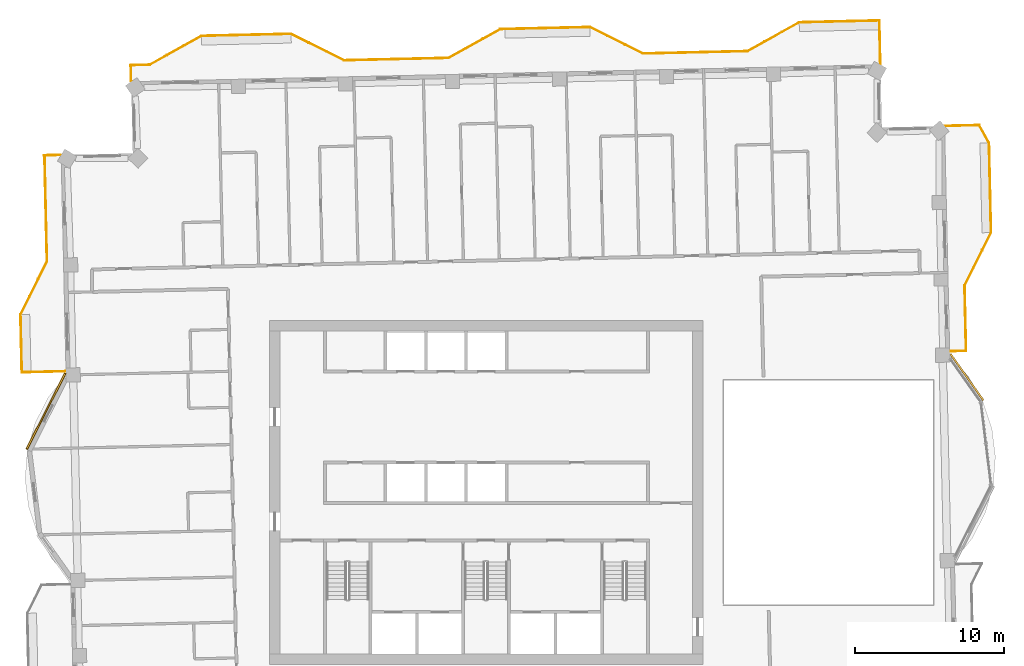
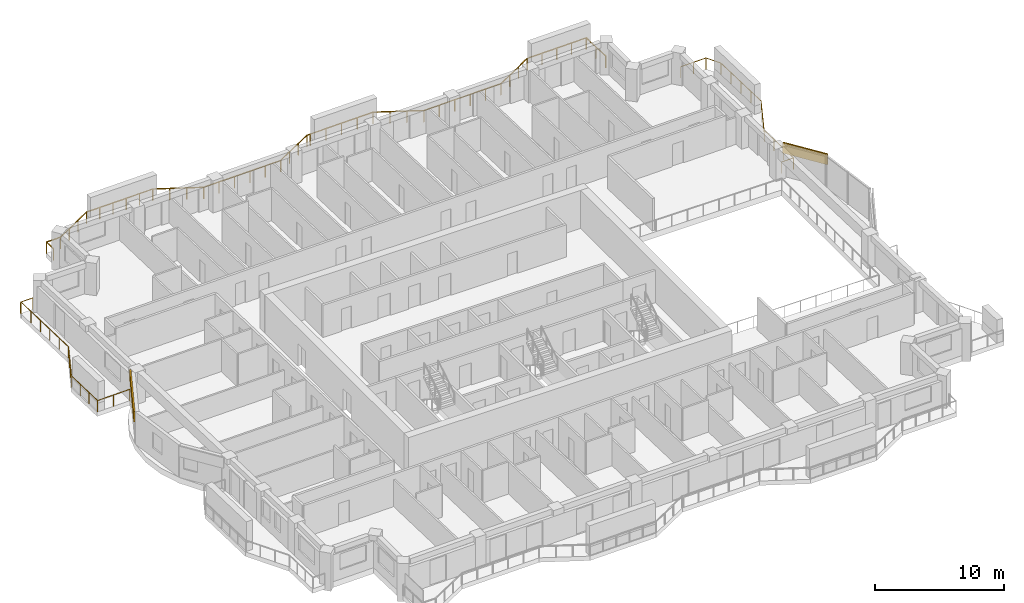
# One storey, part 20 of 20: 3 railings, 2 coverings.
"""IFC4 building model written with IfcOpenShell, lengths in metres."""

from ifc_helpers import new_model, si_unit, direction, frame, frame_2d, origin, origin_2d, place, context, subcontext, project, spatial, rectangle, extrude, material, layer, layer_set, type_object, element, save


model = new_model("IFC4")

# Units and contexts
model_context = context("Model", 3, precision=1e-05, world=origin(), true_north=direction((0.0, 1.0)))
body_context = subcontext(model_context, "Body", "Model", "MODEL_VIEW")
ifc_project = project(units=[si_unit("LENGTHUNIT", "METRE"), si_unit("AREAUNIT", "SQUARE_METRE"), si_unit("VOLUMEUNIT", "CUBIC_METRE"), si_unit("PLANEANGLEUNIT", "RADIAN"), si_unit("MASSUNIT", "GRAM", prefix="KILO")], contexts=[model_context])

# Site, building, storey
site_placement = place(None, origin())
site = spatial("IfcSite", under=ifc_project, at=site_placement, CompositionType="ELEMENT")
building_placement = place(site_placement, origin())
building = spatial("IfcBuilding", under=site, at=building_placement, Name="Mangrove Gate Tower", CompositionType="ELEMENT")
storey_placement = place(building_placement, frame((0.0, 0.0, 279.89990234375)))
storey = spatial("IfcBuildingStorey", under=building, at=storey_placement, Name="L71", CompositionType="ELEMENT", Elevation=279.89990234375)

# Railings
ifc_material_1 = material(Name="Stainless steel grade 316 with laminated glass infill", Category="steel")
railing_type = type_object("IfcRailingType", Name="Balcony guard 1100", PredefinedType="GUARDRAIL", material=ifc_material_1)
railing_1_placement = place(storey_placement, frame((31.0390625, 9.445068359375, 0.0)))
element("IfcRailing", 1, at=railing_1_placement, inside=storey, type_object=railing_type, Name="GUARD L71 E2", PredefinedType="GUARDRAIL", context=body_context, shape_type="SweptSolid", body=[
    extrude(rectangle(XDim=0.048095703125, YDim=0.048095703125, at=origin_2d()), frame((0.0, 0.0, 1.076171875), z_axis=(0.999744802133, 0.022590498181, 0.0), x_axis=(-0.022590498181, 0.999744802133, 0.0)), (0.0, 0.0, 1.0), 1.05908203125),
    extrude(rectangle(XDim=0.048095703125, YDim=0.048095703125, at=origin_2d()), frame((1.058837890625, 0.02392578125, 1.076171875), z_axis=(-0.022599718713, 0.999744593741, 0.0), x_axis=(-0.999744593741, -0.022599718713, 0.0)), (0.0, 0.0, 1.0), 4.375244140625),
    extrude(rectangle(XDim=0.048095703125, YDim=0.048095703125, at=origin_2d()), frame((0.9599609375, 4.39794921875, 1.076171875), z_axis=(0.447114919141, 0.894476522376, 0.0), x_axis=(-0.894476522376, 0.447114919141, 0.0)), (0.0, 0.0, 1.0), 3.958740234375),
    extrude(rectangle(XDim=0.048095703125, YDim=0.048095703125, at=origin_2d()), frame((2.72998046875, 7.93896484375, 1.076171875), z_axis=(-0.022665943652, 0.999743094499, 0.0), x_axis=(-0.999743094499, -0.022665943652, 0.0)), (0.0, 0.0, 1.0), 5.99951171875),
    extrude(rectangle(XDim=0.048095703125, YDim=0.048095703125, at=origin_2d()), frame((2.593994140625, 13.93701171875, 1.076171875), z_axis=(-0.486894237627, 0.873460932936, 0.0), x_axis=(-0.873460932936, -0.486894237627, 0.0)), (0.0, 0.0, 1.0), 1.35791015625),
    extrude(rectangle(XDim=0.048095703125, YDim=0.048095703125, at=origin_2d()), frame((1.932861328125, 15.123046875, 1.076171875), z_axis=(-0.999738835803, -0.022853012666, 0.0), x_axis=(0.022853012666, -0.999738835803, 0.0)), (0.0, 0.0, 1.0), 2.275390625),
    extrude(rectangle(XDim=0.0419921875, YDim=0.0419921875, at=origin_2d()), origin(), (0.0, 0.0, 1.0), 1.052001953125),
    extrude(rectangle(XDim=0.0419921875, YDim=0.0419921875, at=origin_2d()), frame((1.058837890625, 0.02392578125, 0.0)), (0.0, 0.0, 1.0), 1.052001953125),
    extrude(rectangle(XDim=0.0419921875, YDim=0.0419921875, at=origin_2d()), frame((1.02587890625, 1.48193359375, 0.0)), (0.0, 0.0, 1.0), 1.052001953125),
    extrude(rectangle(XDim=0.0419921875, YDim=0.0419921875, at=origin_2d()), frame((0.992919921875, 2.93994140625, 0.0)), (0.0, 0.0, 1.0), 1.052001953125),
    extrude(rectangle(XDim=0.0419921875, YDim=0.0419921875, at=origin_2d()), frame((0.9599609375, 4.39794921875, 0.0)), (0.0, 0.0, 1.0), 1.052001953125),
    extrude(rectangle(XDim=0.0419921875, YDim=0.0419921875, at=origin_2d()), frame((1.550048828125, 5.578369140625, 0.0)), (0.0, 0.0, 1.0), 1.052001953125),
    extrude(rectangle(XDim=0.0419921875, YDim=0.0419921875, at=origin_2d()), frame((2.139892578125, 6.758544921875, 0.0)), (0.0, 0.0, 1.0), 1.052001953125),
    extrude(rectangle(XDim=0.0419921875, YDim=0.0419921875, at=origin_2d()), frame((2.72998046875, 7.93896484375, 0.0)), (0.0, 0.0, 1.0), 1.052001953125),
    extrude(rectangle(XDim=0.0419921875, YDim=0.0419921875, at=origin_2d()), frame((2.696044921875, 9.4384765625, 0.0)), (0.0, 0.0, 1.0), 1.052001953125),
    extrude(rectangle(XDim=0.0419921875, YDim=0.0419921875, at=origin_2d()), frame((2.662109375, 10.93798828125, 0.0)), (0.0, 0.0, 1.0), 1.052001953125),
    extrude(rectangle(XDim=0.0419921875, YDim=0.0419921875, at=origin_2d()), frame((2.6279296875, 12.4375, 0.0)), (0.0, 0.0, 1.0), 1.052001953125),
    extrude(rectangle(XDim=0.0419921875, YDim=0.0419921875, at=origin_2d()), frame((2.593994140625, 13.93701171875, 0.0)), (0.0, 0.0, 1.0), 1.052001953125),
    extrude(rectangle(XDim=0.0419921875, YDim=0.0419921875, at=origin_2d()), frame((1.932861328125, 15.123046875, 0.0)), (0.0, 0.0, 1.0), 1.052001953125),
    extrude(rectangle(XDim=0.0419921875, YDim=0.0419921875, at=origin_2d()), frame((0.79541015625, 15.09716796875, 0.0)), (0.0, 0.0, 1.0), 1.052001953125),
    extrude(rectangle(XDim=0.0419921875, YDim=0.0419921875, at=origin_2d()), frame((-0.342041015625, 15.071044921875, 0.0)), (0.0, 0.0, 1.0), 1.052001953125),
])
railing_2_placement = place(storey_placement, frame((26.362060546875, 28.658935546875, 0.0)))
element("IfcRailing", 2, at=railing_2_placement, inside=storey, type_object=railing_type, Name="GUARD L71 N1", PredefinedType="GUARDRAIL", context=body_context, shape_type="SweptSolid", body=[
    extrude(rectangle(XDim=0.048095703125, YDim=0.048095703125, at=origin_2d()), frame((0.0, 0.0, 1.076171875), z_axis=(-0.022736651854, 0.999741488917, 0.0), x_axis=(-0.999741488917, -0.022736651854, 0.0)), (0.0, 0.0, 1.0), 2.909912109375),
    extrude(rectangle(XDim=0.048095703125, YDim=0.048095703125, at=origin_2d()), frame((-0.066162109375, 2.9091796875, 1.076171875), z_axis=(-0.999741436255, -0.022738967299, 0.0), x_axis=(0.022738967299, -0.999741436255, 0.0)), (0.0, 0.0, 1.0), 5.368408203125),
    extrude(rectangle(XDim=0.048095703125, YDim=0.048095703125, at=origin_2d()), frame((-5.43310546875, 2.787109375, 1.076171875), z_axis=(-0.87325689943, -0.48726008209, 0.0), x_axis=(0.48726008209, -0.87325689943, 0.0)), (0.0, 0.0, 1.0), 3.958740234375),
    extrude(rectangle(XDim=0.048095703125, YDim=0.048095703125, at=origin_2d()), frame((-8.89013671875, 0.858154296875, 1.076171875), z_axis=(-0.999741385179, -0.022741212823, 0.0), x_axis=(0.022741212823, -0.999741385179, 0.0)), (0.0, 0.0, 1.0), 6.99951171875),
    extrude(rectangle(XDim=0.048095703125, YDim=0.048095703125, at=origin_2d()), frame((-15.887939453125, 0.698974609375, 1.076171875), z_axis=(-0.894377854182, 0.447312255532, 0.0), x_axis=(-0.447312255532, -0.894377854182, 0.0)), (0.0, 0.0, 1.0), 3.959228515625),
    extrude(rectangle(XDim=0.048095703125, YDim=0.048095703125, at=origin_2d()), frame((-19.428955078125, 2.469970703125, 1.076171875), z_axis=(-0.999740418587, -0.022783666154, 0.0), x_axis=(0.022783666154, -0.999740418587, 0.0)), (0.0, 0.0, 1.0), 5.70068359375),
    extrude(rectangle(XDim=0.048095703125, YDim=0.048095703125, at=origin_2d()), frame((-25.128173828125, 2.340087890625, 1.076171875), z_axis=(-0.999721267469, -0.023609052733, 0.0), x_axis=(0.023609052733, -0.999721267469, 0.0)), (0.0, 0.0, 1.0), 0.2998046875),
    extrude(rectangle(XDim=0.048095703125, YDim=0.048095703125, at=origin_2d()), frame((-25.427978515625, 2.3330078125, 1.076171875), z_axis=(-0.873361856081, -0.487071933437, 0.0), x_axis=(0.487071933437, -0.873361856081, 0.0)), (0.0, 0.0, 1.0), 3.958251953125),
    extrude(rectangle(XDim=0.048095703125, YDim=0.048095703125, at=origin_2d()), frame((-28.885009765625, 0.405029296875, 1.076171875), z_axis=(-0.999742195543, -0.022705559911, 0.0), x_axis=(0.022705559911, -0.999742195543, 0.0)), (0.0, 0.0, 1.0), 6.999755859375),
    extrude(rectangle(XDim=0.048095703125, YDim=0.048095703125, at=origin_2d()), frame((-35.883056640625, 0.24609375, 1.076171875), z_axis=(-0.894476522376, 0.447114919141, 0.0), x_axis=(-0.447114919141, -0.894476522376, 0.0)), (0.0, 0.0, 1.0), 3.958740234375),
    extrude(rectangle(XDim=0.048095703125, YDim=0.048095703125, at=origin_2d()), frame((-39.424072265625, 2.01611328125, 1.076171875), z_axis=(-0.999743178102, -0.022662255828, 0.0), x_axis=(0.022662255828, -0.999743178102, 0.0)), (0.0, 0.0, 1.0), 6.00048828125),
    extrude(rectangle(XDim=0.048095703125, YDim=0.048095703125, at=origin_2d()), frame((-45.423095703125, 1.880126953125, 1.076171875), z_axis=(-0.87325689943, -0.48726008209, 0.0), x_axis=(0.48726008209, -0.87325689943, 0.0)), (0.0, 0.0, 1.0), 3.958740234375),
    extrude(rectangle(XDim=0.048095703125, YDim=0.048095703125, at=origin_2d()), frame((-48.880126953125, -0.048828125, 1.076171875), z_axis=(-0.999737139505, -0.022927099557, 0.0), x_axis=(0.022927099557, -0.999737139505, 0.0)), (0.0, 0.0, 1.0), 1.26708984375),
    extrude(rectangle(XDim=0.048095703125, YDim=0.048095703125, at=origin_2d()), frame((-50.14697265625, -0.077880859375, 1.076171875), z_axis=(0.021643938231, -0.999765742531, 0.0), x_axis=(0.999765742531, 0.021643938231, 0.0)), (0.0, 0.0, 1.0), 1.060302734375),
    extrude(rectangle(XDim=0.0419921875, YDim=0.0419921875, at=origin_2d()), origin(), (0.0, 0.0, 1.0), 1.052001953125),
    extrude(rectangle(XDim=0.0419921875, YDim=0.0419921875, at=origin_2d()), frame((-0.033203125, 1.45458984375, 0.0)), (0.0, 0.0, 1.0), 1.052001953125),
    extrude(rectangle(XDim=0.0419921875, YDim=0.0419921875, at=origin_2d()), frame((-0.066162109375, 2.9091796875, 0.0)), (0.0, 0.0, 1.0), 1.052001953125),
    extrude(rectangle(XDim=0.0419921875, YDim=0.0419921875, at=origin_2d()), frame((-1.407958984375, 2.878662109375, 0.0)), (0.0, 0.0, 1.0), 1.052001953125),
    extrude(rectangle(XDim=0.0419921875, YDim=0.0419921875, at=origin_2d()), frame((-2.74951171875, 2.84814453125, 0.0)), (0.0, 0.0, 1.0), 1.052001953125),
    extrude(rectangle(XDim=0.0419921875, YDim=0.0419921875, at=origin_2d()), frame((-4.09130859375, 2.817626953125, 0.0)), (0.0, 0.0, 1.0), 1.052001953125),
    extrude(rectangle(XDim=0.0419921875, YDim=0.0419921875, at=origin_2d()), frame((-5.43310546875, 2.787109375, 0.0)), (0.0, 0.0, 1.0), 1.052001953125),
    extrude(rectangle(XDim=0.0419921875, YDim=0.0419921875, at=origin_2d()), frame((-6.58544921875, 2.14404296875, 0.0)), (0.0, 0.0, 1.0), 1.052001953125),
    extrude(rectangle(XDim=0.0419921875, YDim=0.0419921875, at=origin_2d()), frame((-7.73779296875, 1.501220703125, 0.0)), (0.0, 0.0, 1.0), 1.052001953125),
    extrude(rectangle(XDim=0.0419921875, YDim=0.0419921875, at=origin_2d()), frame((-8.89013671875, 0.858154296875, 0.0)), (0.0, 0.0, 1.0), 1.052001953125),
    extrude(rectangle(XDim=0.0419921875, YDim=0.0419921875, at=origin_2d()), frame((-10.289794921875, 0.826416015625, 0.0)), (0.0, 0.0, 1.0), 1.052001953125),
    extrude(rectangle(XDim=0.0419921875, YDim=0.0419921875, at=origin_2d()), frame((-11.689208984375, 0.79443359375, 0.0)), (0.0, 0.0, 1.0), 1.052001953125),
    extrude(rectangle(XDim=0.0419921875, YDim=0.0419921875, at=origin_2d()), frame((-13.0888671875, 0.7626953125, 0.0)), (0.0, 0.0, 1.0), 1.052001953125),
    extrude(rectangle(XDim=0.0419921875, YDim=0.0419921875, at=origin_2d()), frame((-14.48828125, 0.730712890625, 0.0)), (0.0, 0.0, 1.0), 1.052001953125),
    extrude(rectangle(XDim=0.0419921875, YDim=0.0419921875, at=origin_2d()), frame((-15.887939453125, 0.698974609375, 0.0)), (0.0, 0.0, 1.0), 1.052001953125),
    extrude(rectangle(XDim=0.0419921875, YDim=0.0419921875, at=origin_2d()), frame((-17.068359375, 1.289306640625, 0.0)), (0.0, 0.0, 1.0), 1.052001953125),
    extrude(rectangle(XDim=0.0419921875, YDim=0.0419921875, at=origin_2d()), frame((-18.24853515625, 1.879638671875, 0.0)), (0.0, 0.0, 1.0), 1.052001953125),
    extrude(rectangle(XDim=0.0419921875, YDim=0.0419921875, at=origin_2d()), frame((-19.428955078125, 2.469970703125, 0.0)), (0.0, 0.0, 1.0), 1.052001953125),
    extrude(rectangle(XDim=0.0419921875, YDim=0.0419921875, at=origin_2d()), frame((-20.853759765625, 2.4375, 0.0)), (0.0, 0.0, 1.0), 1.052001953125),
    extrude(rectangle(XDim=0.0419921875, YDim=0.0419921875, at=origin_2d()), frame((-22.278564453125, 2.405029296875, 0.0)), (0.0, 0.0, 1.0), 1.052001953125),
    extrude(rectangle(XDim=0.0419921875, YDim=0.0419921875, at=origin_2d()), frame((-23.703369140625, 2.37255859375, 0.0)), (0.0, 0.0, 1.0), 1.052001953125),
    extrude(rectangle(XDim=0.0419921875, YDim=0.0419921875, at=origin_2d()), frame((-25.128173828125, 2.340087890625, 0.0)), (0.0, 0.0, 1.0), 1.052001953125),
    extrude(rectangle(XDim=0.0419921875, YDim=0.0419921875, at=origin_2d()), frame((-25.427978515625, 2.3330078125, 0.0)), (0.0, 0.0, 1.0), 1.052001953125),
    extrude(rectangle(XDim=0.0419921875, YDim=0.0419921875, at=origin_2d()), frame((-26.580322265625, 1.6904296875, 0.0)), (0.0, 0.0, 1.0), 1.052001953125),
    extrude(rectangle(XDim=0.0419921875, YDim=0.0419921875, at=origin_2d()), frame((-27.732666015625, 1.047607421875, 0.0)), (0.0, 0.0, 1.0), 1.052001953125),
    extrude(rectangle(XDim=0.0419921875, YDim=0.0419921875, at=origin_2d()), frame((-28.885009765625, 0.405029296875, 0.0)), (0.0, 0.0, 1.0), 1.052001953125),
    extrude(rectangle(XDim=0.0419921875, YDim=0.0419921875, at=origin_2d()), frame((-30.28466796875, 0.373291015625, 0.0)), (0.0, 0.0, 1.0), 1.052001953125),
    extrude(rectangle(XDim=0.0419921875, YDim=0.0419921875, at=origin_2d()), frame((-31.684326171875, 0.341552734375, 0.0)), (0.0, 0.0, 1.0), 1.052001953125),
    extrude(rectangle(XDim=0.0419921875, YDim=0.0419921875, at=origin_2d()), frame((-33.083740234375, 0.3095703125, 0.0)), (0.0, 0.0, 1.0), 1.052001953125),
    extrude(rectangle(XDim=0.0419921875, YDim=0.0419921875, at=origin_2d()), frame((-34.4833984375, 0.27783203125, 0.0)), (0.0, 0.0, 1.0), 1.052001953125),
    extrude(rectangle(XDim=0.0419921875, YDim=0.0419921875, at=origin_2d()), frame((-35.883056640625, 0.24609375, 0.0)), (0.0, 0.0, 1.0), 1.052001953125),
    extrude(rectangle(XDim=0.0419921875, YDim=0.0419921875, at=origin_2d()), frame((-37.0634765625, 0.836181640625, 0.0)), (0.0, 0.0, 1.0), 1.052001953125),
    extrude(rectangle(XDim=0.0419921875, YDim=0.0419921875, at=origin_2d()), frame((-38.24365234375, 1.426025390625, 0.0)), (0.0, 0.0, 1.0), 1.052001953125),
    extrude(rectangle(XDim=0.0419921875, YDim=0.0419921875, at=origin_2d()), frame((-39.424072265625, 2.01611328125, 0.0)), (0.0, 0.0, 1.0), 1.052001953125),
    extrude(rectangle(XDim=0.0419921875, YDim=0.0419921875, at=origin_2d()), frame((-40.623779296875, 1.989013671875, 0.0)), (0.0, 0.0, 1.0), 1.052001953125),
    extrude(rectangle(XDim=0.0419921875, YDim=0.0419921875, at=origin_2d()), frame((-41.82373046875, 1.961669921875, 0.0)), (0.0, 0.0, 1.0), 1.052001953125),
    extrude(rectangle(XDim=0.0419921875, YDim=0.0419921875, at=origin_2d()), frame((-43.0234375, 1.9345703125, 0.0)), (0.0, 0.0, 1.0), 1.052001953125),
    extrude(rectangle(XDim=0.0419921875, YDim=0.0419921875, at=origin_2d()), frame((-44.223388671875, 1.9072265625, 0.0)), (0.0, 0.0, 1.0), 1.052001953125),
    extrude(rectangle(XDim=0.0419921875, YDim=0.0419921875, at=origin_2d()), frame((-45.423095703125, 1.880126953125, 0.0)), (0.0, 0.0, 1.0), 1.052001953125),
    extrude(rectangle(XDim=0.0419921875, YDim=0.0419921875, at=origin_2d()), frame((-46.575439453125, 1.237060546875, 0.0)), (0.0, 0.0, 1.0), 1.052001953125),
    extrude(rectangle(XDim=0.0419921875, YDim=0.0419921875, at=origin_2d()), frame((-47.727783203125, 0.59423828125, 0.0)), (0.0, 0.0, 1.0), 1.052001953125),
    extrude(rectangle(XDim=0.0419921875, YDim=0.0419921875, at=origin_2d()), frame((-48.880126953125, -0.048828125, 0.0)), (0.0, 0.0, 1.0), 1.052001953125),
    extrude(rectangle(XDim=0.0419921875, YDim=0.0419921875, at=origin_2d()), frame((-50.14697265625, -0.077880859375, 0.0)), (0.0, 0.0, 1.0), 1.052001953125),
    extrude(rectangle(XDim=0.0419921875, YDim=0.0419921875, at=origin_2d()), frame((-50.1240234375, -1.137939453125, 0.0)), (0.0, 0.0, 1.0), 1.052001953125),
])
railing_3_placement = place(storey_placement, frame((-28.489990234375, 22.572998046875, 0.0)))
element("IfcRailing", 3, at=railing_3_placement, inside=storey, type_object=railing_type, Name="GUARD L71 W1", PredefinedType="GUARDRAIL", context=body_context, shape_type="SweptSolid", body=[
    extrude(rectangle(XDim=0.048095703125, YDim=0.048095703125, at=origin_2d()), frame((0.0, 0.0, 1.076171875), z_axis=(-0.999749811032, -0.022367729924, 0.0), x_axis=(0.022367729924, -0.999749811032, 0.0)), (0.0, 0.0, 1.0), 1.11328125),
    extrude(rectangle(XDim=0.048095703125, YDim=0.048095703125, at=origin_2d()), frame((-1.113037109375, -0.02490234375, 1.076171875), z_axis=(0.484728084089, -0.874664898401, 0.0), x_axis=(0.874664898401, 0.484728084089, 0.0)), (0.0, 0.0, 1.0), 0.11328125),
    extrude(rectangle(XDim=0.048095703125, YDim=0.048095703125, at=origin_2d()), frame((-1.05810546875, -0.1240234375, 1.076171875), z_axis=(0.022740419861, -0.999741403216, 0.0), x_axis=(0.999741403216, 0.022740419861, 0.0)), (0.0, 0.0, 1.0), 6.999755859375),
    extrude(rectangle(XDim=0.048095703125, YDim=0.048095703125, at=origin_2d()), frame((-0.89892578125, -7.1220703125, 1.076171875), z_axis=(-0.447114919141, -0.894476522376, 0.0), x_axis=(0.894476522376, -0.447114919141, 0.0)), (0.0, 0.0, 1.0), 3.958740234375),
    extrude(rectangle(XDim=0.048095703125, YDim=0.048095703125, at=origin_2d()), frame((-2.6689453125, -10.6630859375, 1.076171875), z_axis=(0.022681332769, -0.999742745482, 0.0), x_axis=(0.999742745482, 0.022681332769, 0.0)), (0.0, 0.0, 1.0), 3.875),
    extrude(rectangle(XDim=0.048095703125, YDim=0.048095703125, at=origin_2d()), frame((-2.5810546875, -14.537109375, 1.076171875), z_axis=(0.99974144554, 0.022738559105, 0.0), x_axis=(-0.022738559105, 0.99974144554, 0.0)), (0.0, 0.0, 1.0), 2.90966796875),
    extrude(rectangle(XDim=0.0419921875, YDim=0.0419921875, at=origin_2d()), origin(), (0.0, 0.0, 1.0), 1.052001953125),
    extrude(rectangle(XDim=0.0419921875, YDim=0.0419921875, at=origin_2d()), frame((-1.113037109375, -0.02490234375, 0.0)), (0.0, 0.0, 1.0), 1.052001953125),
    extrude(rectangle(XDim=0.0419921875, YDim=0.0419921875, at=origin_2d()), frame((-1.05810546875, -0.1240234375, 0.0)), (0.0, 0.0, 1.0), 1.052001953125),
    extrude(rectangle(XDim=0.0419921875, YDim=0.0419921875, at=origin_2d()), frame((-1.0263671875, -1.523681640625, 0.0)), (0.0, 0.0, 1.0), 1.052001953125),
    extrude(rectangle(XDim=0.0419921875, YDim=0.0419921875, at=origin_2d()), frame((-0.994384765625, -2.92333984375, 0.0)), (0.0, 0.0, 1.0), 1.052001953125),
    extrude(rectangle(XDim=0.0419921875, YDim=0.0419921875, at=origin_2d()), frame((-0.962646484375, -4.32275390625, 0.0)), (0.0, 0.0, 1.0), 1.052001953125),
    extrude(rectangle(XDim=0.0419921875, YDim=0.0419921875, at=origin_2d()), frame((-0.9306640625, -5.722412109375, 0.0)), (0.0, 0.0, 1.0), 1.052001953125),
    extrude(rectangle(XDim=0.0419921875, YDim=0.0419921875, at=origin_2d()), frame((-0.89892578125, -7.1220703125, 0.0)), (0.0, 0.0, 1.0), 1.052001953125),
    extrude(rectangle(XDim=0.0419921875, YDim=0.0419921875, at=origin_2d()), frame((-1.489013671875, -8.302490234375, 0.0)), (0.0, 0.0, 1.0), 1.052001953125),
    extrude(rectangle(XDim=0.0419921875, YDim=0.0419921875, at=origin_2d()), frame((-2.078857421875, -9.482666015625, 0.0)), (0.0, 0.0, 1.0), 1.052001953125),
    extrude(rectangle(XDim=0.0419921875, YDim=0.0419921875, at=origin_2d()), frame((-2.6689453125, -10.6630859375, 0.0)), (0.0, 0.0, 1.0), 1.052001953125),
    extrude(rectangle(XDim=0.0419921875, YDim=0.0419921875, at=origin_2d()), frame((-2.6396484375, -11.954345703125, 0.0)), (0.0, 0.0, 1.0), 1.052001953125),
    extrude(rectangle(XDim=0.0419921875, YDim=0.0419921875, at=origin_2d()), frame((-2.6103515625, -13.245849609375, 0.0)), (0.0, 0.0, 1.0), 1.052001953125),
    extrude(rectangle(XDim=0.0419921875, YDim=0.0419921875, at=origin_2d()), frame((-2.5810546875, -14.537109375, 0.0)), (0.0, 0.0, 1.0), 1.052001953125),
    extrude(rectangle(XDim=0.0419921875, YDim=0.0419921875, at=origin_2d()), frame((-1.12646484375, -14.50390625, 0.0)), (0.0, 0.0, 1.0), 1.052001953125),
    extrude(rectangle(XDim=0.0419921875, YDim=0.0419921875, at=origin_2d()), frame((0.327880859375, -14.470947265625, 0.0)), (0.0, 0.0, 1.0), 1.052001953125),
])

# Coverings
ifc_material_2 = material(Name="Limestone", Category="masonry")
ifc_layer_1 = layer(ifc_material_2, 0.0400390625, Name="Limestone cladding")
ifc_material_3 = material(Name="Stainless steel anchors and cavity", Category="steel")
ifc_layer_2 = layer(ifc_material_3, 0.080078125, Name="Fixing cavity")
ifc_layer_set = layer_set([ifc_layer_1, ifc_layer_2], Name="Joint fascia cladding 120")
covering_type = type_object("IfcCoveringType", Name="Joint fascia cladding 120", PredefinedType="CLADDING", material=ifc_layer_set)
covering_1_placement = place(storey_placement, frame((33.25390625, 6.158935546875, 2.050048828125), z_axis=(0.0, 0.0, 1.0), x_axis=(-0.578168098379, 0.815917673553, 0.0)))
element("IfcCovering", 4, at=covering_1_placement, inside=storey, type_object=covering_type, Name="STONE FASCIA L71 E1.L2", PredefinedType="CLADDING", context=body_context, shape_type="SweptSolid", body=[
    extrude(rectangle(XDim=3.819091796875, YDim=0.1201171875, at=frame_2d((1.90966796875, 0.0))), origin(), (0.0, 0.0, 1.0), 1.0),
])
covering_2_placement = place(storey_placement, frame((-28.169677734375, 7.974609375, 2.050048828125), z_axis=(0.0, 0.0, 1.0), x_axis=(-0.452599154857, -0.891714082553, 0.0)))
element("IfcCovering", 5, at=covering_2_placement, inside=storey, type_object=covering_type, Name="STONE FASCIA L71 W9.L1", PredefinedType="CLADDING", context=body_context, shape_type="SweptSolid", body=[
    extrude(rectangle(XDim=5.703369140625, YDim=0.1201171875, at=frame_2d((2.8515625, 0.0))), origin(), (0.0, 0.0, 1.0), 1.0),
])

save(model, "model.ifc")
